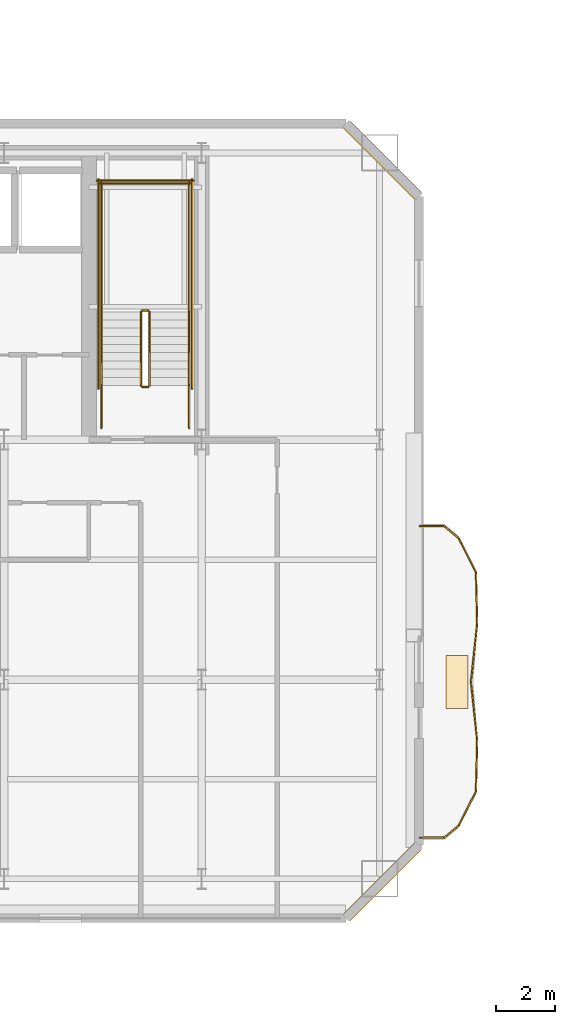
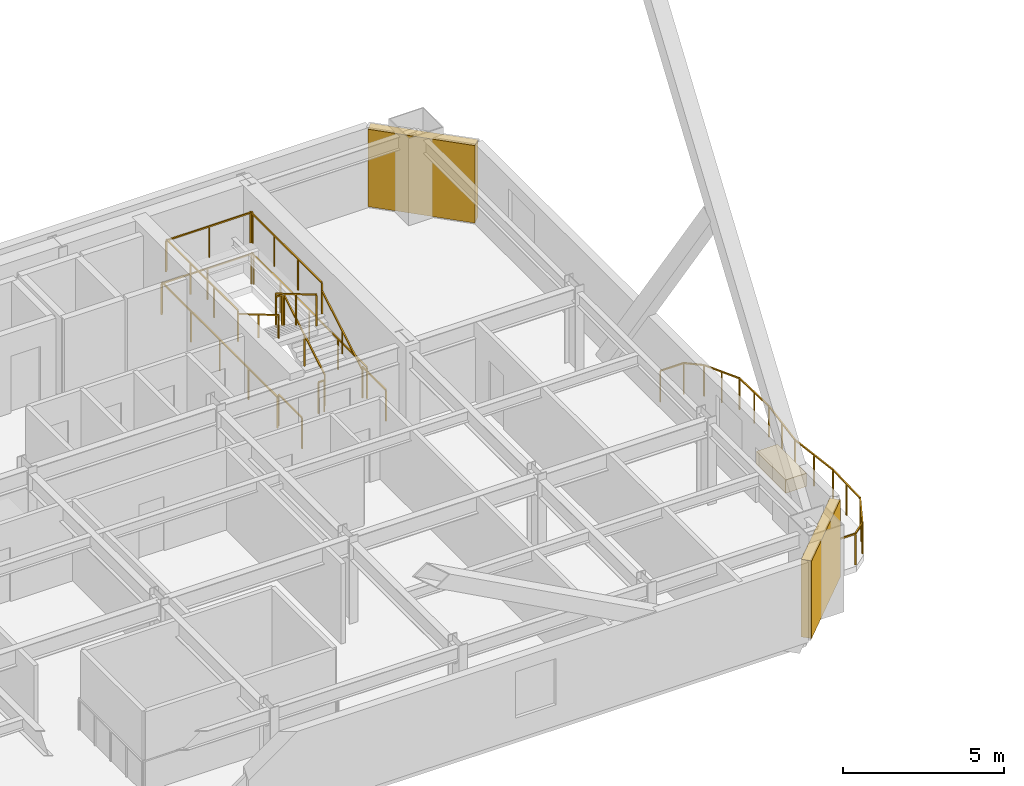
# One storey, part 17 of 19: 24 railings, 2 shading devices, 1 covering.
"""IFC4 building model written with IfcOpenShell, lengths in metres."""

from ifc_helpers import new_model, si_unit, direction, frame, origin, origin_2d, place, context, subcontext, project, spatial, rectangle, extrude, material, layer, layer_set, type_object, element, save


model = new_model("IFC4")

# Units and contexts
model_context = context("Model", 3, precision=1e-05, world=origin(), true_north=direction((0.0, 1.0)))
body_context = subcontext(model_context, "Body", "Model", "MODEL_VIEW")
ifc_project = project(units=[si_unit("LENGTHUNIT", "METRE"), si_unit("AREAUNIT", "SQUARE_METRE"), si_unit("VOLUMEUNIT", "CUBIC_METRE"), si_unit("PLANEANGLEUNIT", "RADIAN"), si_unit("MASSUNIT", "GRAM", prefix="KILO")], contexts=[model_context])

# Site, building, storey
site_placement = place(None, origin())
site = spatial("IfcSite", under=ifc_project, at=site_placement, CompositionType="ELEMENT")
building_placement = place(site_placement, origin())
building = spatial("IfcBuilding", under=site, at=building_placement, Name="Haevon Station Towers", CompositionType="ELEMENT")
storey_placement = place(building_placement, frame((0.0, 0.0, 156.0)))
storey = spatial("IfcBuildingStorey", under=building, at=storey_placement, Name="L42", CompositionType="ELEMENT", Elevation=156.0)

# Railings
ifc_material_1 = material(Name="Steel S355", Category="steel")
railing_type_1 = type_object("IfcRailingType", Name="GRD-EXT1200", PredefinedType="GUARDRAIL", material=ifc_material_1)
railing_1_placement = place(storey_placement, frame((58.448486328125, 24.602783203125, 0.0)))
element("IfcRailing", 1, at=railing_1_placement, inside=storey, type_object=railing_type_1, Name="L42 Perimeter Guardrail 1", PredefinedType="GUARDRAIL", context=body_context, shape_type="SweptSolid", body=[
    extrude(rectangle(XDim=0.048095703125, YDim=0.048095703125, at=origin_2d()), frame((0.0, 0.0, 1.17578125), z_axis=(0.999997283225, 0.002330995998, 0.0), x_axis=(-0.002330995998, 0.999997283225, 0.0)), (0.0, 0.0, 1.0), 0.837890625),
    extrude(rectangle(XDim=0.0419921875, YDim=0.0419921875, at=origin_2d()), origin(), (0.0, 0.0, 1.0), 1.15185546875),
    extrude(rectangle(XDim=0.0419921875, YDim=0.0419921875, at=origin_2d()), frame((0.837890625, 0.001953125, 0.0)), (0.0, 0.0, 1.0), 1.15185546875),
])
railing_2_placement = place(storey_placement, frame((59.286376953125, 24.604736328125, 0.0)))
element("IfcRailing", 2, at=railing_2_placement, inside=storey, type_object=railing_type_1, Name="L42 Perimeter Guardrail 2", PredefinedType="GUARDRAIL", context=body_context, shape_type="SweptSolid", body=[
    extrude(rectangle(XDim=0.048095703125, YDim=0.048095703125, at=origin_2d()), frame((0.0, 0.0, 1.17578125), z_axis=(0.766342909973, 0.642431742938, 0.0), x_axis=(-0.642431742938, 0.766342909973, 0.0)), (0.0, 0.0, 1.0), 0.640380859375),
    extrude(rectangle(XDim=0.0419921875, YDim=0.0419921875, at=origin_2d()), origin(), (0.0, 0.0, 1.0), 1.15185546875),
    extrude(rectangle(XDim=0.0419921875, YDim=0.0419921875, at=origin_2d()), frame((0.49072265625, 0.411376953125, 0.0)), (0.0, 0.0, 1.0), 1.15185546875),
])
railing_3_placement = place(storey_placement, frame((59.777099609375, 25.01611328125, 0.0)))
element("IfcRailing", 3, at=railing_3_placement, inside=storey, type_object=railing_type_1, Name="L42 Perimeter Guardrail 3", PredefinedType="GUARDRAIL", context=body_context, shape_type="SweptSolid", body=[
    extrude(rectangle(XDim=0.048095703125, YDim=0.048095703125, at=origin_2d()), frame((0.0, 0.0, 1.17578125), z_axis=(0.452270967259, 0.89188058179, 0.0), x_axis=(-0.89188058179, 0.452270967259, 0.0)), (0.0, 0.0, 1.0), 1.311279296875),
    extrude(rectangle(XDim=0.0419921875, YDim=0.0419921875, at=origin_2d()), origin(), (0.0, 0.0, 1.0), 1.15185546875),
    extrude(rectangle(XDim=0.0419921875, YDim=0.0419921875, at=origin_2d()), frame((0.29638671875, 0.584716796875, 0.0)), (0.0, 0.0, 1.0), 1.15185546875),
    extrude(rectangle(XDim=0.0419921875, YDim=0.0419921875, at=origin_2d()), frame((0.593017578125, 1.16943359375, 0.0)), (0.0, 0.0, 1.0), 1.15185546875),
])
railing_4_placement = place(storey_placement, frame((60.3701171875, 26.185546875, 0.0)))
element("IfcRailing", 4, at=railing_4_placement, inside=storey, type_object=railing_type_1, Name="L42 Perimeter Guardrail 4", PredefinedType="GUARDRAIL", context=body_context, shape_type="SweptSolid", body=[
    extrude(rectangle(XDim=0.048095703125, YDim=0.048095703125, at=origin_2d()), frame((0.0, 0.0, 1.17578125), z_axis=(0.023311172722, 0.999728257691, 0.0), x_axis=(-0.999728257691, 0.023311172722, 0.0)), (0.0, 0.0, 1.0), 1.7490234375),
    extrude(rectangle(XDim=0.0419921875, YDim=0.0419921875, at=origin_2d()), origin(), (0.0, 0.0, 1.0), 1.15185546875),
    extrude(rectangle(XDim=0.0419921875, YDim=0.0419921875, at=origin_2d()), frame((0.0205078125, 0.874267578125, 0.0)), (0.0, 0.0, 1.0), 1.15185546875),
    extrude(rectangle(XDim=0.0419921875, YDim=0.0419921875, at=origin_2d()), frame((0.040771484375, 1.74853515625, 0.0)), (0.0, 0.0, 1.0), 1.15185546875),
])
railing_5_placement = place(storey_placement, frame((60.410888671875, 27.93408203125, 0.0)))
element("IfcRailing", 5, at=railing_5_placement, inside=storey, type_object=railing_type_1, Name="L42 Perimeter Guardrail 5", PredefinedType="GUARDRAIL", context=body_context, shape_type="SweptSolid", body=[
    extrude(rectangle(XDim=0.048095703125, YDim=0.048095703125, at=origin_2d()), frame((0.0, 0.0, 1.17578125), z_axis=(-0.107165907126, 0.99424115201, 0.0), x_axis=(-0.99424115201, -0.107165907126, 0.0)), (0.0, 0.0, 1.0), 2.00244140625),
    extrude(rectangle(XDim=0.0419921875, YDim=0.0419921875, at=origin_2d()), origin(), (0.0, 0.0, 1.0), 1.15185546875),
    extrude(rectangle(XDim=0.0419921875, YDim=0.0419921875, at=origin_2d()), frame((-0.107421875, 0.99560546875, 0.0)), (0.0, 0.0, 1.0), 1.15185546875),
    extrude(rectangle(XDim=0.0419921875, YDim=0.0419921875, at=origin_2d()), frame((-0.214599609375, 1.990966796875, 0.0)), (0.0, 0.0, 1.0), 1.15185546875),
])
railing_6_placement = place(storey_placement, frame((60.1962890625, 29.925048828125, 0.0)))
element("IfcRailing", 6, at=railing_6_placement, inside=storey, type_object=railing_type_1, Name="L42 Perimeter Guardrail 6", PredefinedType="GUARDRAIL", context=body_context, shape_type="SweptSolid", body=[
    extrude(rectangle(XDim=0.048095703125, YDim=0.048095703125, at=origin_2d()), frame((0.0, 0.0, 1.17578125), z_axis=(0.107165907126, 0.99424115201, 0.0), x_axis=(-0.99424115201, 0.107165907126, 0.0)), (0.0, 0.0, 1.0), 2.00244140625),
    extrude(rectangle(XDim=0.0419921875, YDim=0.0419921875, at=origin_2d()), origin(), (0.0, 0.0, 1.0), 1.15185546875),
    extrude(rectangle(XDim=0.0419921875, YDim=0.0419921875, at=origin_2d()), frame((0.107421875, 0.99560546875, 0.0)), (0.0, 0.0, 1.0), 1.15185546875),
    extrude(rectangle(XDim=0.0419921875, YDim=0.0419921875, at=origin_2d()), frame((0.214599609375, 1.990966796875, 0.0)), (0.0, 0.0, 1.0), 1.15185546875),
])
railing_7_placement = place(storey_placement, frame((60.410888671875, 31.916015625, 0.0)))
element("IfcRailing", 7, at=railing_7_placement, inside=storey, type_object=railing_type_1, Name="L42 Perimeter Guardrail 7", PredefinedType="GUARDRAIL", context=body_context, shape_type="SweptSolid", body=[
    extrude(rectangle(XDim=0.048095703125, YDim=0.048095703125, at=origin_2d()), frame((0.0, 0.0, 1.17578125), z_axis=(-0.023311172722, 0.999728257691, 0.0), x_axis=(-0.999728257691, -0.023311172722, 0.0)), (0.0, 0.0, 1.0), 1.7490234375),
    extrude(rectangle(XDim=0.0419921875, YDim=0.0419921875, at=origin_2d()), origin(), (0.0, 0.0, 1.0), 1.15185546875),
    extrude(rectangle(XDim=0.0419921875, YDim=0.0419921875, at=origin_2d()), frame((-0.0205078125, 0.874267578125, 0.0)), (0.0, 0.0, 1.0), 1.15185546875),
    extrude(rectangle(XDim=0.0419921875, YDim=0.0419921875, at=origin_2d()), frame((-0.040771484375, 1.74853515625, 0.0)), (0.0, 0.0, 1.0), 1.15185546875),
])
railing_8_placement = place(storey_placement, frame((60.3701171875, 33.66455078125, 0.0)))
element("IfcRailing", 8, at=railing_8_placement, inside=storey, type_object=railing_type_1, Name="L42 Perimeter Guardrail 8", PredefinedType="GUARDRAIL", context=body_context, shape_type="SweptSolid", body=[
    extrude(rectangle(XDim=0.048095703125, YDim=0.048095703125, at=origin_2d()), frame((0.0, 0.0, 1.17578125), z_axis=(-0.452270967259, 0.89188058179, 0.0), x_axis=(-0.89188058179, -0.452270967259, 0.0)), (0.0, 0.0, 1.0), 1.311279296875),
    extrude(rectangle(XDim=0.0419921875, YDim=0.0419921875, at=origin_2d()), origin(), (0.0, 0.0, 1.0), 1.15185546875),
    extrude(rectangle(XDim=0.0419921875, YDim=0.0419921875, at=origin_2d()), frame((-0.29638671875, 0.584716796875, 0.0)), (0.0, 0.0, 1.0), 1.15185546875),
    extrude(rectangle(XDim=0.0419921875, YDim=0.0419921875, at=origin_2d()), frame((-0.593017578125, 1.16943359375, 0.0)), (0.0, 0.0, 1.0), 1.15185546875),
])
railing_9_placement = place(storey_placement, frame((59.777099609375, 34.833984375, 0.0)))
element("IfcRailing", 9, at=railing_9_placement, inside=storey, type_object=railing_type_1, Name="L42 Perimeter Guardrail 9", PredefinedType="GUARDRAIL", context=body_context, shape_type="SweptSolid", body=[
    extrude(rectangle(XDim=0.048095703125, YDim=0.048095703125, at=origin_2d()), frame((0.0, 0.0, 1.17578125), z_axis=(-0.766342909973, 0.642431742938, 0.0), x_axis=(-0.642431742938, -0.766342909973, 0.0)), (0.0, 0.0, 1.0), 0.640380859375),
    extrude(rectangle(XDim=0.0419921875, YDim=0.0419921875, at=origin_2d()), origin(), (0.0, 0.0, 1.0), 1.15185546875),
    extrude(rectangle(XDim=0.0419921875, YDim=0.0419921875, at=origin_2d()), frame((-0.49072265625, 0.411376953125, 0.0)), (0.0, 0.0, 1.0), 1.15185546875),
])
railing_10_placement = place(storey_placement, frame((59.286376953125, 35.245361328125, 0.0)))
element("IfcRailing", 10, at=railing_10_placement, inside=storey, type_object=railing_type_1, Name="L42 Perimeter Guardrail 10", PredefinedType="GUARDRAIL", context=body_context, shape_type="SweptSolid", body=[
    extrude(rectangle(XDim=0.048095703125, YDim=0.048095703125, at=origin_2d()), frame((0.0, 0.0, 1.17578125), z_axis=(-0.999997919967, 0.002039622797, 0.0), x_axis=(-0.002039622797, -0.999997919967, 0.0)), (0.0, 0.0, 1.0), 0.837890625),
    extrude(rectangle(XDim=0.0419921875, YDim=0.0419921875, at=origin_2d()), origin(), (0.0, 0.0, 1.0), 1.15185546875),
    extrude(rectangle(XDim=0.0419921875, YDim=0.0419921875, at=origin_2d()), frame((-0.837890625, 0.001708984375, 0.0)), (0.0, 0.0, 1.0), 1.15185546875),
])
railing_type_2 = type_object("IfcRailingType", Name="GRD-STR1200", PredefinedType="GUARDRAIL", material=ifc_material_1)
railing_11_placement = place(storey_placement, frame((49.219970703125, 40.050048828125, 0.1650390625)))
element("IfcRailing", 11, at=railing_11_placement, inside=storey, type_object=railing_type_2, Name="L42 ST2 Stair Guard 1", PredefinedType="GUARDRAIL", context=body_context, shape_type="SweptSolid", body=[
    extrude(rectangle(XDim=0.048095703125, YDim=0.048095703125, at=origin_2d()), frame((0.0, 0.0, 1.17578125), z_axis=(0.0, 0.861560626758, 0.507654692109), x_axis=(-1.0, 0.0, 0.0)), (0.0, 0.0, 1.0), 2.925048828125),
    extrude(rectangle(XDim=0.0419921875, YDim=0.0419921875, at=origin_2d()), origin(), (0.0, 0.0, 1.0), 1.15185546875),
    extrude(rectangle(XDim=0.0419921875, YDim=0.0419921875, at=origin_2d()), frame((0.0, 1.260009765625, 0.742431640625)), (0.0, 0.0, 1.0), 1.15185546875),
    extrude(rectangle(XDim=0.0419921875, YDim=0.0419921875, at=origin_2d()), frame((0.0, 2.52001953125, 1.48486328125)), (0.0, 0.0, 1.0), 1.15185546875),
])
railing_12_placement = place(storey_placement, frame((49.169921875, 42.6201171875, 1.64990234375)))
element("IfcRailing", 12, at=railing_12_placement, inside=storey, type_object=railing_type_2, Name="L42 ST2 Stair Guard 2", PredefinedType="GUARDRAIL", context=body_context, shape_type="SweptSolid", body=[
    extrude(rectangle(XDim=0.048095703125, YDim=0.048095703125, at=origin_2d()), frame((0.0, 0.0, 1.17578125), z_axis=(-1.0, 0.0, 0.0), x_axis=(0.0, -1.0, 0.0)), (0.0, 0.0, 1.0), 0.199951171875),
    extrude(rectangle(XDim=0.0419921875, YDim=0.0419921875, at=origin_2d()), origin(), (0.0, 0.0, 1.0), 1.15185546875),
    extrude(rectangle(XDim=0.0419921875, YDim=0.0419921875, at=origin_2d()), frame((-0.199951171875, 0.0, 0.0)), (0.0, 0.0, 1.0), 1.15185546875),
])
for number, where, name in (
    (13, (50.570068359375, 42.570068359375, 1.64990234375), "L42 ST2 Stair Guard 3"),
    (14, (47.570068359375, 42.570068359375, 1.64990234375), "L42 ST2 Stair Guard 4"),
):
    element("IfcRailing", number, at=place(storey_placement, frame(where)), inside=storey, type_object=railing_type_2, Name=name, PredefinedType="GUARDRAIL", context=body_context, shape_type="SweptSolid", body=[
        extrude(rectangle(XDim=0.048095703125, YDim=0.048095703125, at=origin_2d()), frame((0.0, 0.0, 1.17578125), z_axis=(0.0, 1.0, 0.0), x_axis=(-1.0, 0.0, 0.0)), (0.0, 0.0, 1.0), 4.429931640625),
        extrude(rectangle(XDim=0.0419921875, YDim=0.0419921875, at=origin_2d()), origin(), (0.0, 0.0, 1.0), 1.15185546875),
        extrude(rectangle(XDim=0.0419921875, YDim=0.0419921875, at=origin_2d()), frame((0.0, 1.4765625, 0.0)), (0.0, 0.0, 1.0), 1.15185546875),
        extrude(rectangle(XDim=0.0419921875, YDim=0.0419921875, at=origin_2d()), frame((0.0, 2.953369140625, 0.0)), (0.0, 0.0, 1.0), 1.15185546875),
        extrude(rectangle(XDim=0.0419921875, YDim=0.0419921875, at=origin_2d()), frame((0.0, 4.429931640625, 0.0)), (0.0, 0.0, 1.0), 1.15185546875),
    ])
railing_13_placement = place(storey_placement, frame((50.6201171875, 46.949951171875, 1.64990234375)))
element("IfcRailing", 15, at=railing_13_placement, inside=storey, type_object=railing_type_2, Name="L42 ST2 Stair Guard 5", PredefinedType="GUARDRAIL", context=body_context, shape_type="SweptSolid", body=[
    extrude(rectangle(XDim=0.048095703125, YDim=0.048095703125, at=origin_2d()), frame((0.0, 0.0, 1.17578125), z_axis=(-1.0, 0.0, 0.0), x_axis=(0.0, -1.0, 0.0)), (0.0, 0.0, 1.0), 3.10009765625),
    extrude(rectangle(XDim=0.0419921875, YDim=0.0419921875, at=origin_2d()), origin(), (0.0, 0.0, 1.0), 1.15185546875),
    extrude(rectangle(XDim=0.0419921875, YDim=0.0419921875, at=origin_2d()), frame((-1.550048828125, 0.0, 0.0)), (0.0, 0.0, 1.0), 1.15185546875),
    extrude(rectangle(XDim=0.0419921875, YDim=0.0419921875, at=origin_2d()), frame((-3.10009765625, 0.0, 0.0)), (0.0, 0.0, 1.0), 1.15185546875),
])
railing_14_placement = place(storey_placement, frame((48.919921875, 42.570068359375, 1.81494140625)))
element("IfcRailing", 16, at=railing_14_placement, inside=storey, type_object=railing_type_2, Name="L42 ST2 Stair Guard 6", PredefinedType="GUARDRAIL", context=body_context, shape_type="SweptSolid", body=[
    extrude(rectangle(XDim=0.048095703125, YDim=0.048095703125, at=origin_2d()), frame((0.0, 0.0, 1.17578125), z_axis=(0.0, -0.86152411907, 0.507716645641), x_axis=(1.0, 0.0, 0.0)), (0.0, 0.0, 1.0), 2.925048828125),
    extrude(rectangle(XDim=0.0419921875, YDim=0.0419921875, at=origin_2d()), origin(), (0.0, 0.0, 1.0), 1.15185546875),
    extrude(rectangle(XDim=0.0419921875, YDim=0.0419921875, at=origin_2d()), frame((0.0, -1.260009765625, 0.74267578125)), (0.0, 0.0, 1.0), 1.15185546875),
    extrude(rectangle(XDim=0.0419921875, YDim=0.0419921875, at=origin_2d()), frame((0.0, -2.52001953125, 1.485107421875)), (0.0, 0.0, 1.0), 1.15185546875),
])
railing_15_placement = place(storey_placement, frame((49.169921875, 40.0, 0.0)))
element("IfcRailing", 17, at=railing_15_placement, inside=storey, type_object=railing_type_2, Name="L42 ST2 Stair Guard 7", PredefinedType="GUARDRAIL", context=body_context, shape_type="SweptSolid", body=[
    extrude(rectangle(XDim=0.048095703125, YDim=0.048095703125, at=origin_2d()), frame((0.0, 0.0, 1.17578125), z_axis=(-1.0, 0.0, 0.0), x_axis=(0.0, -1.0, 0.0)), (0.0, 0.0, 1.0), 0.199951171875),
    extrude(rectangle(XDim=0.0419921875, YDim=0.0419921875, at=origin_2d()), origin(), (0.0, 0.0, 1.0), 1.15185546875),
    extrude(rectangle(XDim=0.0419921875, YDim=0.0419921875, at=origin_2d()), frame((-0.199951171875, 0.0, 0.0)), (0.0, 0.0, 1.0), 1.15185546875),
])
for number, where, name in (
    (18, (50.570068359375, 38.60009765625, 0.0), "L42 ST2 Stair Guard 8"),
    (19, (47.570068359375, 38.60009765625, 0.0), "L42 ST2 Stair Guard 9"),
):
    element("IfcRailing", number, at=place(storey_placement, frame(where)), inside=storey, type_object=railing_type_2, Name=name, PredefinedType="GUARDRAIL", context=body_context, shape_type="SweptSolid", body=[
        extrude(rectangle(XDim=0.048095703125, YDim=0.048095703125, at=origin_2d()), frame((0.0, 0.0, 1.17578125), z_axis=(0.0, 1.0, 0.0), x_axis=(-1.0, 0.0, 0.0)), (0.0, 0.0, 1.0), 1.449951171875),
        extrude(rectangle(XDim=0.0419921875, YDim=0.0419921875, at=origin_2d()), origin(), (0.0, 0.0, 1.0), 1.15185546875),
        extrude(rectangle(XDim=0.0419921875, YDim=0.0419921875, at=origin_2d()), frame((0.0, 1.449951171875, 0.0)), (0.0, 0.0, 1.0), 1.15185546875),
    ])
for number, where, name in (
    (20, (50.669921875, 39.949951171875, 0.0), "L42 ST2 Stair Guard 10"),
    (21, (47.469970703125, 39.949951171875, 0.0), "L42 ST2 Stair Guard 11"),
):
    element("IfcRailing", number, at=place(storey_placement, frame(where)), inside=storey, type_object=railing_type_2, Name=name, PredefinedType="GUARDRAIL", context=body_context, shape_type="SweptSolid", body=[
        extrude(rectangle(XDim=0.048095703125, YDim=0.048095703125, at=origin_2d()), frame((0.0, 0.0, 1.17578125), z_axis=(0.0, 1.0, 0.0), x_axis=(-1.0, 0.0, 0.0)), (0.0, 0.0, 1.0), 7.150146484375),
        extrude(rectangle(XDim=0.0419921875, YDim=0.0419921875, at=origin_2d()), origin(), (0.0, 0.0, 1.0), 1.15185546875),
        extrude(rectangle(XDim=0.0419921875, YDim=0.0419921875, at=origin_2d()), frame((0.0, 1.78759765625, 0.0)), (0.0, 0.0, 1.0), 1.15185546875),
        extrude(rectangle(XDim=0.0419921875, YDim=0.0419921875, at=origin_2d()), frame((0.0, 3.5751953125, 0.0)), (0.0, 0.0, 1.0), 1.15185546875),
        extrude(rectangle(XDim=0.0419921875, YDim=0.0419921875, at=origin_2d()), frame((0.0, 5.362548828125, 0.0)), (0.0, 0.0, 1.0), 1.15185546875),
        extrude(rectangle(XDim=0.0419921875, YDim=0.0419921875, at=origin_2d()), frame((0.0, 7.150146484375, 0.0)), (0.0, 0.0, 1.0), 1.15185546875),
    ])
railing_16_placement = place(storey_placement, frame((50.719970703125, 47.050048828125, 0.0)))
element("IfcRailing", 22, at=railing_16_placement, inside=storey, type_object=railing_type_2, Name="L42 ST2 Stair Guard 12", PredefinedType="GUARDRAIL", context=body_context, shape_type="SweptSolid", body=[
    extrude(rectangle(XDim=0.048095703125, YDim=0.048095703125, at=origin_2d()), frame((0.0, 0.0, 1.17578125), z_axis=(-1.0, 0.0, 0.0), x_axis=(0.0, -1.0, 0.0)), (0.0, 0.0, 1.0), 3.300048828125),
    extrude(rectangle(XDim=0.0419921875, YDim=0.0419921875, at=origin_2d()), origin(), (0.0, 0.0, 1.0), 1.15185546875),
    extrude(rectangle(XDim=0.0419921875, YDim=0.0419921875, at=origin_2d()), frame((-1.64990234375, 0.0, 0.0)), (0.0, 0.0, 1.0), 1.15185546875),
    extrude(rectangle(XDim=0.0419921875, YDim=0.0419921875, at=origin_2d()), frame((-3.300048828125, 0.0, 0.0)), (0.0, 0.0, 1.0), 1.15185546875),
])
railing_type_3 = type_object("IfcRailingType", Name="HND-STR900", PredefinedType="HANDRAIL", material=ifc_material_1)
railing_17_placement = place(storey_placement, frame((50.570068359375, 40.050048828125, 0.1650390625)))
element("IfcRailing", 23, at=railing_17_placement, inside=storey, type_object=railing_type_3, Name="L42 ST2 Stair Handrail 1", PredefinedType="HANDRAIL", context=body_context, shape_type="SweptSolid", body=[
    extrude(rectangle(XDim=0.048095703125, YDim=0.048095703125, at=origin_2d()), frame((0.0, 0.0, 0.8759765625), z_axis=(0.0, 0.861560626758, 0.507654692109), x_axis=(-1.0, 0.0, 0.0)), (0.0, 0.0, 1.0), 2.925048828125),
    extrude(rectangle(XDim=0.0419921875, YDim=0.0419921875, at=origin_2d()), origin(), (0.0, 0.0, 1.0), 0.851806640625),
    extrude(rectangle(XDim=0.0419921875, YDim=0.0419921875, at=origin_2d()), frame((0.0, 1.260009765625, 0.742431640625)), (0.0, 0.0, 1.0), 0.851806640625),
    extrude(rectangle(XDim=0.0419921875, YDim=0.0419921875, at=origin_2d()), frame((0.0, 2.52001953125, 1.48486328125)), (0.0, 0.0, 1.0), 0.851806640625),
])
railing_18_placement = place(storey_placement, frame((47.570068359375, 42.570068359375, 1.81494140625)))
element("IfcRailing", 24, at=railing_18_placement, inside=storey, type_object=railing_type_3, Name="L42 ST2 Stair Handrail 2", PredefinedType="HANDRAIL", context=body_context, shape_type="SweptSolid", body=[
    extrude(rectangle(XDim=0.048095703125, YDim=0.048095703125, at=origin_2d()), frame((0.0, 0.0, 0.8759765625), z_axis=(0.0, -0.86152411907, 0.507716645641), x_axis=(1.0, 0.0, 0.0)), (0.0, 0.0, 1.0), 2.925048828125),
    extrude(rectangle(XDim=0.0419921875, YDim=0.0419921875, at=origin_2d()), origin(), (0.0, 0.0, 1.0), 0.851806640625),
    extrude(rectangle(XDim=0.0419921875, YDim=0.0419921875, at=origin_2d()), frame((0.0, -1.260009765625, 0.74267578125)), (0.0, 0.0, 1.0), 0.851806640625),
    extrude(rectangle(XDim=0.0419921875, YDim=0.0419921875, at=origin_2d()), frame((0.0, -2.52001953125, 1.485107421875)), (0.0, 0.0, 1.0), 0.851806640625),
])

# Covering
ifc_material_2 = material(Name="Architectural planter GRC", Category="concrete")
ifc_layer_1 = layer(ifc_material_2, 0.550048828125)
ifc_layer_set_1 = layer_set([ifc_layer_1], Name="Architectural planter GRC")
covering_type = type_object("IfcCoveringType", Name="PLN-GRC550", PredefinedType="MOLDING", material=ifc_layer_set_1)
covering_placement = place(storey_placement, frame((59.7177734375, 29.925048828125, 0.0), z_axis=(0.0, 0.0, 1.0), x_axis=(1.0, 0.0, 0.0)))
element("IfcCovering", 25, at=covering_placement, inside=storey, type_object=covering_type, Name="Tower 1 L42 Scalloped Balcony PLANTER", PredefinedType="MOLDING", context=body_context, shape_type="SweptSolid", body=[
    extrude(rectangle(XDim=0.75, YDim=1.800048828125, at=origin_2d()), origin(), (0.0, 0.0, 1.0), 0.5),
])

# Shading devices
ifc_material_3 = material(Name="Anodised aluminium 6063-T6", Category="aluminium")
ifc_layer_2 = layer(ifc_material_3, 0.139892578125)
ifc_layer_set_2 = layer_set([ifc_layer_2], Name="Anodised aluminium 6063-T6")
shading_device_type = type_object("IfcShadingDeviceType", Name="SHD-WIND-BAFFLE", PredefinedType="SHUTTER", material=ifc_layer_set_2)
for number, where, z_axis, x_axis, name in (
    (26, (57.175048828125, 47.75, 0.0498046875), (0.0, 0.0, 1.0), (0.707106781187, -0.707106781187, 0.0), "Tower 1 L42 Wind-Corner Aerofoil Baffle NEC"),
    (27, (57.175048828125, 23.10009765625, 0.0498046875), (0.0, 0.0, 1.0), (-0.707106781187, -0.707106781187, 0.0), "Tower 1 L42 Wind-Corner Aerofoil Baffle SEC"),
):
    element("IfcShadingDevice", number, at=place(storey_placement, frame(where, z_axis=z_axis, x_axis=x_axis)), inside=storey, type_object=shading_device_type, Name=name, PredefinedType="SHUTTER", context=body_context, shape_type="SweptSolid", body=[
        extrude(rectangle(XDim=3.435546875, YDim=0.340087890625, at=origin_2d()), origin(), (0.0, 0.0, 1.0), 2.929931640625),
    ])

save(model, "model.ifc")
